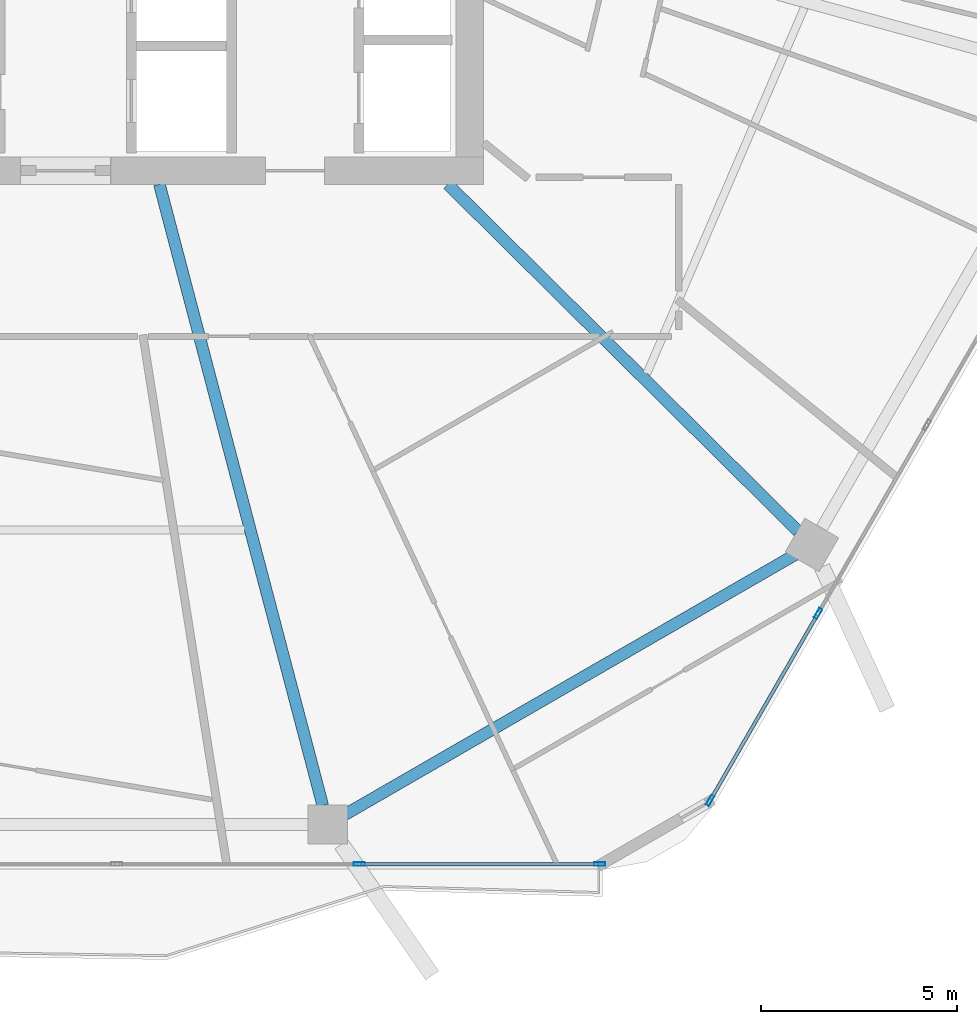
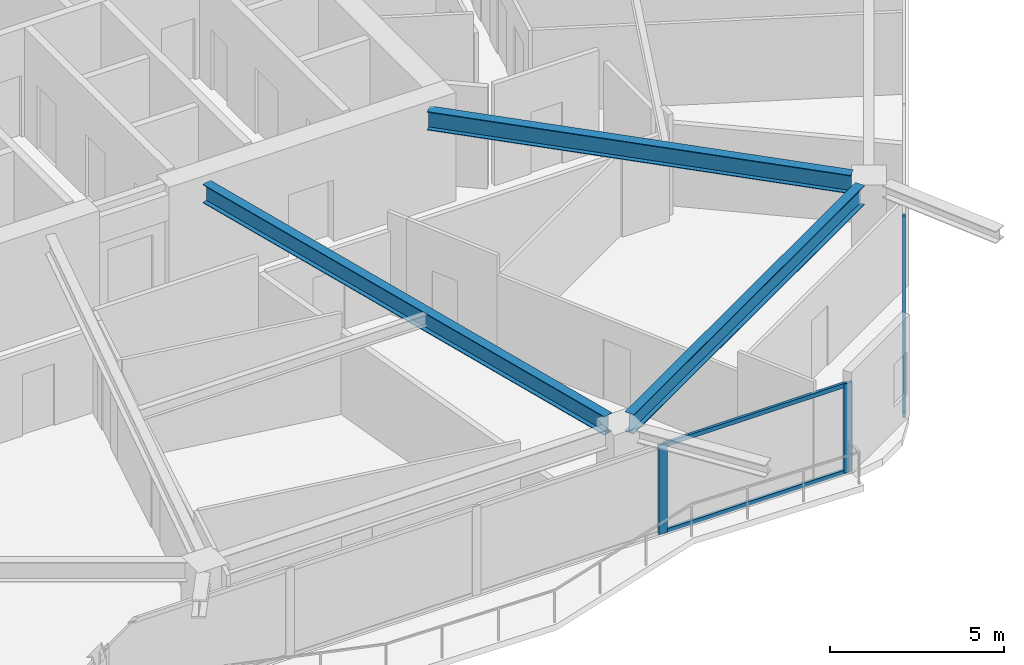
# One storey, part 7 of 27: 8 members, 3 beams, 2 elements without a shape of their own.
"""IFC4 building model written with IfcOpenShell, lengths in metres."""

from ifc_helpers import new_model, si_unit, direction, frame, origin, origin_2d, place, context, subcontext, project, spatial, hollow_rectangle, i_section, extrude, material, material_profile, profile_set, type_object, element, aggregate, save


model = new_model("IFC4")

# Units and contexts
model_context = context("Model", 3, precision=1e-05, world=origin(), true_north=direction((0.0, 1.0)))
body_context = subcontext(model_context, "Body", "Model", "MODEL_VIEW")
ifc_project = project(units=[si_unit("LENGTHUNIT", "METRE"), si_unit("AREAUNIT", "SQUARE_METRE"), si_unit("VOLUMEUNIT", "CUBIC_METRE"), si_unit("PLANEANGLEUNIT", "RADIAN"), si_unit("MASSUNIT", "GRAM", prefix="KILO")], contexts=[model_context])

# Site, building, storey
site_placement = place(None, origin())
site = spatial("IfcSite", under=ifc_project, at=site_placement, CompositionType="ELEMENT")
building_placement = place(site_placement, origin())
building = spatial("IfcBuilding", under=site, at=building_placement, Name="Zuhravey Tower", CompositionType="ELEMENT")
storey_placement = place(building_placement, frame((0.0, 0.0, 173.199951171875)))
storey = spatial("IfcBuildingStorey", under=building, at=storey_placement, Name="L43", CompositionType="ELEMENT", Elevation=173.199951171875)

# Curtain wall, members
ifc_material_1 = material(Name="Thermally broken anodised aluminium", Category="aluminium")
curtain_wall_type = type_object("IfcCurtainWallType", Name="Zone 1-2 Residential Curtain Wall CW3", PredefinedType="NOTDEFINED", material=ifc_material_1)
curtain_wall_1_placement = place(storey_placement, origin())
curtain_wall_1 = element("IfcCurtainWall", 1, at=curtain_wall_1_placement, inside=storey, type_object=curtain_wall_type, Name="L43 CW3 CW-L43-F6-1", PredefinedType="NOTDEFINED")
ifc_material_2 = material(Name="Anodised aluminium", Category="aluminium")
ifc_material_profile_1 = material_profile(ifc_material_2, hollow_rectangle(XDim=0.090087890625, YDim=0.284912109375, WallThickness=0.0048828125, at=origin_2d()), Name="ALU-RHS-90x285x5")
ifc_profile_set_1 = profile_set([ifc_material_profile_1], Name="Anodised aluminium")
member_type_1 = type_object("IfcMemberType", Name="Curtain-Wall Mullion 90x180", PredefinedType="MULLION", material=ifc_profile_set_1)
member_1_placement = place(storey_placement, frame((55.3828125, 11.2060546875, 0.0), z_axis=(0.0, 0.0, 1.0), x_axis=(0.866025138215, -0.500000459979, 0.0)))
member_1 = element("IfcMember", 2, at=member_1_placement, type_object=member_type_1, Name="CW3 mullion 5", PredefinedType="MULLION", context=body_context, shape_type="SweptSolid", body=[
    extrude(hollow_rectangle(XDim=0.090087890625, YDim=0.284912109375, WallThickness=0.0048828125, at=origin_2d()), origin(), (0.0, 0.0, 1.0), 3.1220703125),
])
member_2_placement = place(storey_placement, frame((52.63330078125, 6.443359375, 0.0), z_axis=(0.0, 0.0, 1.0), x_axis=(0.866025138215, -0.500000459979, 0.0)))
member_2 = element("IfcMember", 3, at=member_2_placement, type_object=member_type_1, Name="CW3 mullion 6", PredefinedType="MULLION", context=body_context, shape_type="SweptSolid", body=[
    extrude(hollow_rectangle(XDim=0.090087890625, YDim=0.284912109375, WallThickness=0.0048828125, at=origin_2d()), origin(), (0.0, 0.0, 1.0), 3.1220703125),
])

curtain_wall_2_placement = place(storey_placement, origin())
curtain_wall_2 = element("IfcCurtainWall", 4, at=curtain_wall_2_placement, inside=storey, type_object=curtain_wall_type, Name="L43 CW3 CW-L43-F5-1", PredefinedType="NOTDEFINED")
member_3_placement = place(storey_placement, frame((49.816162109375, 4.81689453125, 0.0), z_axis=(0.0, 0.0, 1.0), x_axis=(0.0, -1.0, 0.0)))
member_3 = element("IfcMember", 5, at=member_3_placement, type_object=member_type_1, Name="CW3 mullion 1", PredefinedType="MULLION", context=body_context, shape_type="SweptSolid", body=[
    extrude(hollow_rectangle(XDim=0.090087890625, YDim=0.284912109375, WallThickness=0.0048828125, at=origin_2d()), origin(), (0.0, 0.0, 1.0), 3.1220703125),
])
member_4_placement = place(storey_placement, frame((43.682861328125, 4.81689453125, 0.0), z_axis=(0.0, 0.0, 1.0), x_axis=(0.0, -1.0, 0.0)))
member_4 = element("IfcMember", 6, at=member_4_placement, type_object=member_type_1, Name="CW3 mullion 2", PredefinedType="MULLION", context=body_context, shape_type="SweptSolid", body=[
    extrude(hollow_rectangle(XDim=0.090087890625, YDim=0.284912109375, WallThickness=0.0048828125, at=origin_2d()), origin(), (0.0, 0.0, 1.0), 3.1220703125),
])

# Member
ifc_material_profile_2 = material_profile(ifc_material_2, hollow_rectangle(XDim=0.090087890625, YDim=0.14990234375, WallThickness=0.0048828125, at=origin_2d()), Name="ALU-RHS-90x150x5")
ifc_profile_set_2 = profile_set([ifc_material_profile_2], Name="Anodised aluminium")
member_type_2 = type_object("IfcMemberType", Name="Curtain-Wall Transom 90x150", PredefinedType="USERDEFINED", material=ifc_profile_set_2)
member_5_placement = place(storey_placement, frame((55.3603515625, 11.1669921875, 0.045166015625), z_axis=(-0.499993332629, -0.866029253159, 0.0), x_axis=(0.866029253159, -0.499993332629, 0.0)))
member_5 = element("IfcMember", 7, at=member_5_placement, type_object=member_type_2, Name="CW3 transom 5.1", ObjectType="TRANSOM", PredefinedType="USERDEFINED", context=body_context, shape_type="SweptSolid", body=[
    extrude(hollow_rectangle(XDim=0.090087890625, YDim=0.14990234375, WallThickness=0.0048828125, at=origin_2d()), origin(), (0.0, 0.0, 1.0), 5.4091796875),
])

member_6_placement = place(storey_placement, frame((55.3603515625, 11.1669921875, 3.0771484375), z_axis=(-0.499993332629, -0.866029253159, 0.0), x_axis=(0.866029253159, -0.499993332629, 0.0)))
member_6 = element("IfcMember", 8, at=member_6_placement, type_object=member_type_2, Name="CW3 transom 5.2", ObjectType="TRANSOM", PredefinedType="USERDEFINED", context=body_context, shape_type="SweptSolid", body=[
    extrude(hollow_rectangle(XDim=0.090087890625, YDim=0.14990234375, WallThickness=0.0048828125, at=origin_2d()), origin(), (0.0, 0.0, 1.0), 5.4091796875),
])

aggregate(curtain_wall_1, [member_1, member_2, member_5, member_6])

member_7_placement = place(storey_placement, frame((49.77099609375, 4.81689453125, 0.045166015625), z_axis=(-1.0, 0.0, 0.0), x_axis=(0.0, -1.0, 0.0)))
member_7 = element("IfcMember", 9, at=member_7_placement, type_object=member_type_2, Name="CW3 transom 1.1", ObjectType="TRANSOM", PredefinedType="USERDEFINED", context=body_context, shape_type="SweptSolid", body=[
    extrude(hollow_rectangle(XDim=0.090087890625, YDim=0.14990234375, WallThickness=0.0048828125, at=origin_2d()), origin(), (0.0, 0.0, 1.0), 6.043212890625),
])

member_8_placement = place(storey_placement, frame((49.77099609375, 4.81689453125, 3.0771484375), z_axis=(-1.0, 0.0, 0.0), x_axis=(0.0, -1.0, 0.0)))
member_8 = element("IfcMember", 10, at=member_8_placement, type_object=member_type_2, Name="CW3 transom 1.2", ObjectType="TRANSOM", PredefinedType="USERDEFINED", context=body_context, shape_type="SweptSolid", body=[
    extrude(hollow_rectangle(XDim=0.090087890625, YDim=0.14990234375, WallThickness=0.0048828125, at=origin_2d()), origin(), (0.0, 0.0, 1.0), 6.043212890625),
])

aggregate(curtain_wall_2, [member_3, member_4, member_7, member_8])

# Beams
ifc_material_3 = material(Name="Steel SM355", Category="steel")
ifc_material_profile_3 = material_profile(ifc_material_3, i_section(OverallWidth=0.300048828125, OverallDepth=0.679931640625, WebThickness=0.012939453125, FlangeThickness=0.02197265625, at=origin_2d()), Name="H-680x300x13x22")
ifc_profile_set_3 = profile_set([ifc_material_profile_3], Name="Steel SM355")
beam_type_1 = type_object("IfcBeamType", Name="Perimeter Ring Beam H680x300", PredefinedType="BEAM", material=ifc_profile_set_3)
beam_1_placement = place(storey_placement, frame((43.317626953125, 6.078369140625, 3.2099609375), z_axis=(0.866022923061, 0.500004296715, 0.0), x_axis=(-0.500004296715, 0.866022923061, 0.0)))
element("IfcBeam", 11, at=beam_1_placement, inside=storey, type_object=beam_type_1, Name="L43 PB2 BM-L43-PB-10", PredefinedType="BEAM", context=body_context, shape_type="SweptSolid", body=[
    extrude(i_section(OverallWidth=0.300048828125, OverallDepth=0.679931640625, WebThickness=0.012939453125, FlangeThickness=0.02197265625, at=origin_2d()), origin(), (0.0, 0.0, 1.0), 13.2470703125),
])
ifc_material_profile_4 = material_profile(ifc_material_3, i_section(OverallWidth=0.300048828125, OverallDepth=0.64990234375, WebThickness=0.012939453125, FlangeThickness=0.02197265625, at=origin_2d()), Name="H-650x300x13x22")
ifc_profile_set_4 = profile_set([ifc_material_profile_4], Name="Steel SM355")
beam_type_2 = type_object("IfcBeamType", Name="Radial Primary Girder H650x300", PredefinedType="BEAM", material=ifc_profile_set_4)
beam_2_placement = place(storey_placement, frame((38.5908203125, 22.14697265625, 3.22509765625), z_axis=(0.254300244998, -0.967125320418, 0.0), x_axis=(0.967125320418, 0.254300244998, 0.0)))
element("IfcBeam", 12, at=beam_2_placement, inside=storey, type_object=beam_type_2, Name="L43 RG2 BM-L43-RAD-10", PredefinedType="BEAM", context=body_context, shape_type="SweptSolid", body=[
    extrude(i_section(OverallWidth=0.300048828125, OverallDepth=0.64990234375, WebThickness=0.012939453125, FlangeThickness=0.02197265625, at=origin_2d()), origin(), (0.0, 0.0, 1.0), 16.371826171875),
])
beam_3_placement = place(storey_placement, frame((45.945556640625, 22.14697265625, 3.22509765625), z_axis=(0.71040353357, -0.703794586148, 0.0), x_axis=(0.703794586148, 0.71040353357, 0.0)))
element("IfcBeam", 13, at=beam_3_placement, inside=storey, type_object=beam_type_2, Name="L43 RG2 BM-L43-RAD-11", PredefinedType="BEAM", context=body_context, shape_type="SweptSolid", body=[
    extrude(i_section(OverallWidth=0.300048828125, OverallDepth=0.64990234375, WebThickness=0.012939453125, FlangeThickness=0.02197265625, at=origin_2d()), origin(), (0.0, 0.0, 1.0), 12.559814453125),
])

save(model, "model.ifc")
